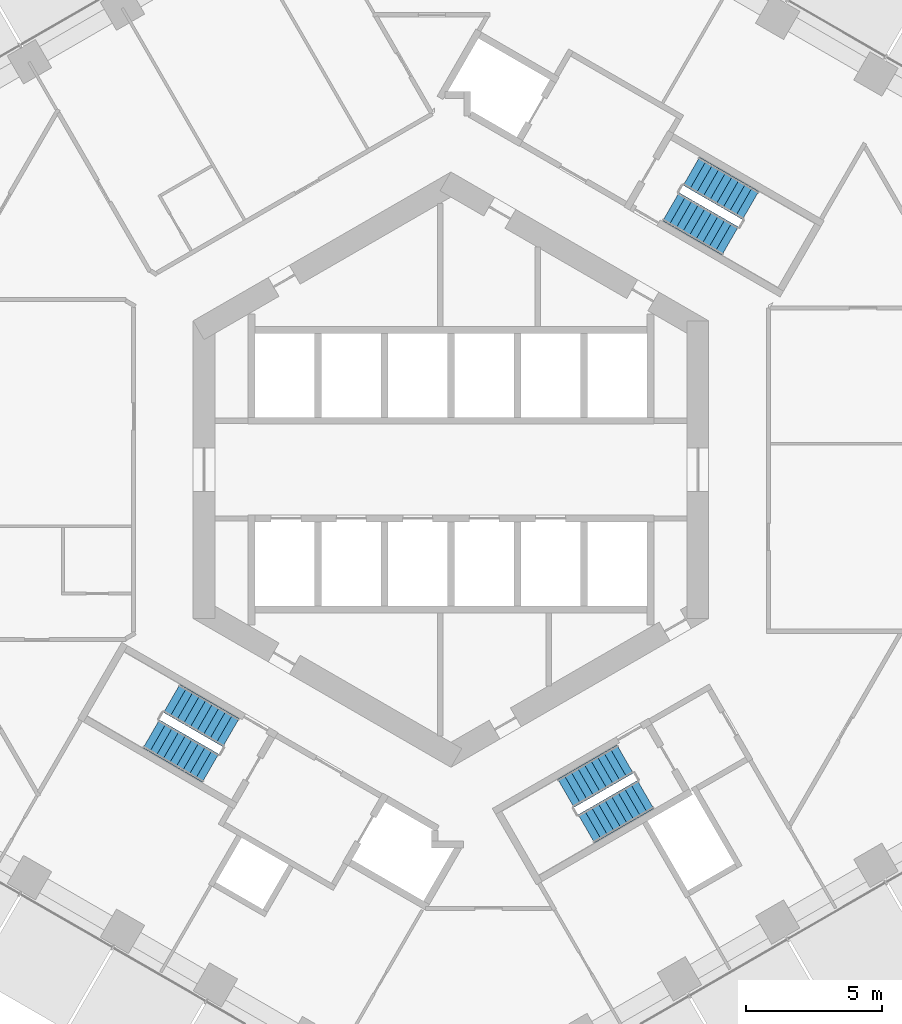
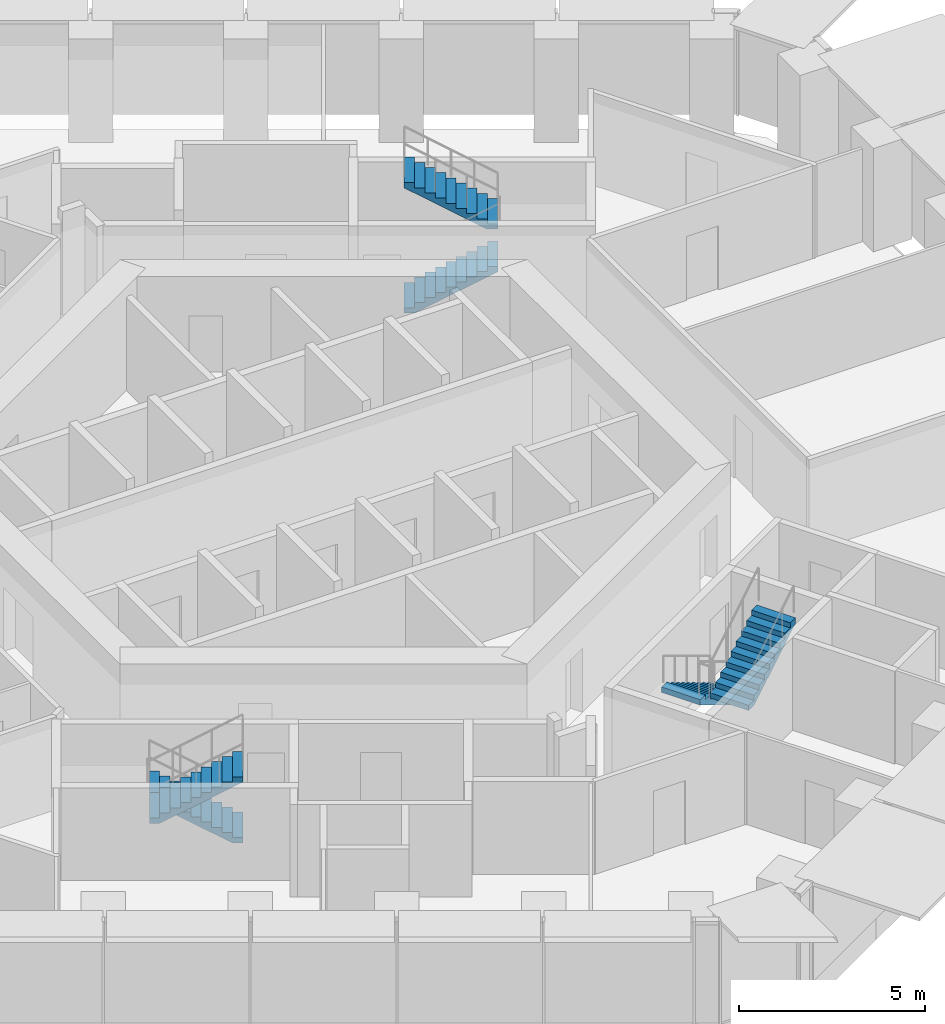
# One storey, part 16 of 19: 6 stair flights, 3 elements without a shape of their own.
"""IFC4 building model written with IfcOpenShell, lengths in metres."""

import ifcopenshell
import ifcopenshell.guid

model = None  # the IFC model being written
_history = None  # IfcOwnerHistory: only IFC2X3 demands one
_inside = {}  # id of a spatial element -> (the spatial element, [elements in it])
_under = {}  # id of a project, library or spatial element -> (it, [spatial elements below it])
_declared = {}  # id of a project -> (the project, [libraries it declares])
_typed = {}  # id of a type object -> (the type object, [elements of that type])
_made_of = {}  # id of a material, layer set ... -> (it, [elements and type objects made of it])


def new_model(schema):
    """Start an empty IFC model of exactly this schema.

    Asked for "IFC4X3", IfcOpenShell would pick the latest addendum, in which some entities
    have other attributes; the version numbers below select the first issue.
    IFC2X3 requires an IfcOwnerHistory on every rooted entity: one is made here for all.
    """
    global model, _history
    if schema == "IFC4X3":
        model = ifcopenshell.file(schema_version=(4, 3, 0, 0))
    else:
        model = ifcopenshell.file(schema=schema)
    _inside.clear()
    _under.clear()
    _declared.clear()
    _typed.clear()
    _made_of.clear()
    _history = None
    if model.schema == "IFC2X3":
        org = make("IfcOrganization", Name="unknown")
        user = make(
            "IfcPersonAndOrganization",
            ThePerson=make("IfcPerson", FamilyName="unknown"),
            TheOrganization=org,
        )
        app = make(
            "IfcApplication",
            ApplicationDeveloper=org,
            Version="unknown",
            ApplicationFullName="unknown",
            ApplicationIdentifier="unknown",
        )
        _history = make(
            "IfcOwnerHistory",
            OwningUser=user,
            OwningApplication=app,
            ChangeAction="ADDED",
            CreationDate=0,
        )
    return model


def make(cls, **values):
    """One entity of the class cls with the attributes given. An attribute that is None is left unset."""
    return model.create_entity(
        cls, **{name: value for name, value in values.items() if value is not None}
    )


def rooted(cls, **values):
    """An entity with a GlobalId (a new one), such as an element, a storey or a relation."""
    return make(cls, GlobalId=ifcopenshell.guid.new(), OwnerHistory=_history, **values)


def si_unit(unit_type, name, prefix=None):
    """IfcSIUnit, for example si_unit("LENGTHUNIT", "METRE", prefix="MILLI")."""
    return make("IfcSIUnit", UnitType=unit_type, Prefix=prefix, Name=name)


def assignment(units):
    """IfcUnitAssignment: the units of a project."""
    return None if units is None else make("IfcUnitAssignment", Units=units)


def point(xyz):
    """IfcCartesianPoint."""
    return None if xyz is None else make("IfcCartesianPoint", Coordinates=xyz)


def direction(xyz):
    """IfcDirection."""
    return None if xyz is None else make("IfcDirection", DirectionRatios=xyz)


def frame(location, z_axis=None, x_axis=None):
    """IfcAxis2Placement3D, a coordinate frame: its origin and axes. An axis left out is left unset."""
    return make(
        "IfcAxis2Placement3D",
        Location=point(location),
        Axis=direction(z_axis),
        RefDirection=direction(x_axis),
    )


def origin():
    """The frame at (0, 0, 0) with its axes left unset."""
    return frame((0.0, 0.0, 0.0))


def place(relative_to, where):
    """IfcLocalPlacement: puts the frame where relative to a parent placement (None: the world)."""
    return make(
        "IfcLocalPlacement", PlacementRelTo=relative_to, RelativePlacement=where
    )


def context(
    kind, dimensions, precision=None, world=None, true_north=None, identifier=None
):
    """IfcGeometricRepresentationContext, for example the 3D "Model" context."""
    return make(
        "IfcGeometricRepresentationContext",
        ContextIdentifier=identifier,
        ContextType=kind,
        CoordinateSpaceDimension=dimensions,
        Precision=precision,
        WorldCoordinateSystem=world,
        TrueNorth=true_north,
    )


def subcontext(parent, identifier, kind, view, scale=None):
    """IfcGeometricRepresentationSubContext, for example "Body" below "Model"."""
    return make(
        "IfcGeometricRepresentationSubContext",
        ContextIdentifier=identifier,
        ContextType=kind,
        ParentContext=parent,
        TargetScale=scale,
        TargetView=view,
    )


def project(units=None, contexts=None):
    """IfcProject with its units and contexts."""
    return rooted(
        "IfcProject",
        Name="project",
        RepresentationContexts=contexts,
        UnitsInContext=assignment(units),
    )


def spatial(cls, under=None, at=None, **own):
    """A site, building, storey or space (cls), placed at a placement, below another one or the project."""
    s = rooted(cls, ObjectPlacement=at, **own)
    if under is not None:
        _under.setdefault(under.id(), (under, []))[1].append(s)
    return s


def point_list(points):
    """IfcCartesianPointList2D or 3D."""
    cls = (
        "IfcCartesianPointList2D" if len(points[0]) == 2 else "IfcCartesianPointList3D"
    )
    return make(cls, CoordList=points)


def triangles(points, corners, closed=None, point_numbers=None):
    """IfcTriangulatedFaceSet: each triangle names its three corners, points numbered from 1."""
    return make(
        "IfcTriangulatedFaceSet",
        Coordinates=point_list(points),
        Closed=closed,
        CoordIndex=corners,
        PnIndex=point_numbers,
    )


def shape(context_of_items, identifier, shape_type, items):
    """IfcShapeRepresentation: the items that make up one representation, for example the "Body"."""
    return make(
        "IfcShapeRepresentation",
        ContextOfItems=context_of_items,
        RepresentationIdentifier=identifier,
        RepresentationType=shape_type,
        Items=items,
    )


def material(Name=None, Category=None):
    """IfcMaterial."""
    return make("IfcMaterial", Name=Name, Category=Category)


def made_of(thing, what):
    """Note that an element or type object is made of a material, layer set ...; save() writes the relation."""
    if what is not None:
        _made_of.setdefault(what.id(), (what, []))[1].append(thing)
    return thing


def type_object(cls, material=None, **own):
    """A type object (cls), such as IfcWallType, which elements share."""
    return made_of(rooted(cls, **own), material)


def element(
    cls,
    number,
    at=None,
    inside=None,
    cuts=None,
    type_object=None,
    material=None,
    context=None,
    identifier="Body",
    shape_type=None,
    held_by="IfcProductDefinitionShape",
    body=None,
    shapes=None,
    **own,
):
    """One element of the class cls, such as IfcWall. Its Tag is "e" and its number.

    at: its placement. inside: the storey or other place that contains it. cuts: it is an
    opening in that element (IfcRelVoidsElement). A single representation is given by context,
    identifier, shape_type and body (its items); several are given by shapes. held_by: the class
    of the entity that holds the representations. save() writes the other relations.
    """
    e = rooted(cls, Tag="e%d" % number, ObjectPlacement=at, **own)
    if body is not None:
        shapes = [shape(context, identifier, shape_type, body)]
    if shapes is not None:
        e.Representation = make(held_by, Representations=shapes)
    if inside is not None:
        _inside.setdefault(inside.id(), (inside, []))[1].append(e)
    if cuts is not None:
        rooted(
            "IfcRelVoidsElement", RelatingBuildingElement=cuts, RelatedOpeningElement=e
        )
    if type_object is not None:
        _typed.setdefault(type_object.id(), (type_object, []))[1].append(e)
    return made_of(e, material)


def aggregate(whole, parts):
    """IfcRelAggregates: a whole, such as a stair, and the parts it consists of."""
    return rooted("IfcRelAggregates", RelatingObject=whole, RelatedObjects=parts)


def save(model, path):
    """Write the relations noted so far, then the file.

    IfcRelAggregates (storeys below a building ...), IfcRelContainedInSpatialStructure (elements
    in a storey), IfcRelDefinesByType, IfcRelAssociatesMaterial and IfcRelDeclares: one each for
    every whole, place, type object, material and project.
    """
    for whole, parts in _under.values():
        aggregate(whole, parts)
    for where, things in _inside.values():
        rooted(
            "IfcRelContainedInSpatialStructure",
            RelatedElements=things,
            RelatingStructure=where,
        )
    for kind, things in _typed.values():
        rooted("IfcRelDefinesByType", RelatedObjects=things, RelatingType=kind)
    for what, things in _made_of.values():
        rooted("IfcRelAssociatesMaterial", RelatedObjects=things, RelatingMaterial=what)
    for by, libraries in _declared.values():
        rooted("IfcRelDeclares", RelatingContext=by, RelatedDefinitions=libraries)
    model.write(path)


model = new_model("IFC4")

# Units and contexts
model_context = context("Model", 3, precision=1e-05, world=origin(), true_north=direction((0.0, 1.0)))
body_context = subcontext(model_context, "Body", "Model", "MODEL_VIEW")
ifc_project = project(units=[si_unit("LENGTHUNIT", "METRE"), si_unit("AREAUNIT", "SQUARE_METRE"), si_unit("VOLUMEUNIT", "CUBIC_METRE"), si_unit("PLANEANGLEUNIT", "RADIAN"), si_unit("MASSUNIT", "GRAM", prefix="KILO")], contexts=[model_context])

# Site, building, storey
site_placement = place(None, origin())
site = spatial("IfcSite", under=ifc_project, at=site_placement, CompositionType="ELEMENT")
building_placement = place(site_placement, origin())
building = spatial("IfcBuilding", under=site, at=building_placement, Name="Ayvan Gate Tower", CompositionType="ELEMENT")
storey_placement = place(building_placement, frame((0.0, 0.0, 42.5)))
storey = spatial("IfcBuildingStorey", under=building, at=storey_placement, Name="L10", CompositionType="ELEMENT", Elevation=42.5)

# Stair, stair flights
ifc_material = material(Name="Concrete C40/50", Category="concrete")
stair_type = type_object("IfcStairType", Name="ST-EXIT", PredefinedType="HALF_TURN_STAIR", material=ifc_material)
stair_1_placement = place(storey_placement, origin())
stair_1 = element("IfcStair", 1, at=stair_1_placement, inside=storey, type_object=stair_type, Name="L10 Exit Stair S1", PredefinedType="HALF_TURN_STAIR")
stair_flight_type = type_object("IfcStairFlightType", Name="SFL-EXIT", PredefinedType="STRAIGHT", material=ifc_material)
stair_flight_1_placement = place(storey_placement, frame((8.106201171875, 9.690185546875, 0.0), z_axis=(0.0, 0.0, 1.0), x_axis=(0.866025403784, -0.5, 0.0)))
stair_flight_1 = element("IfcStairFlight", 2, at=stair_flight_1_placement, type_object=stair_flight_type, Name="STS1 flight 1", NumberOfRisers=10, NumberOfTreads=9, PredefinedType="STRAIGHT", RiserHeight=0.17, TreadLength=0.28, context=body_context, shape_type="Tessellation", body=[
    triangles([(0.288841, -0.599976, 0.0), (2.5205, -0.599976, 1.354936), (2.5205, -0.599976, 1.53), (2.24, -0.599976, 1.53), (2.24, -0.599976, 1.36), (1.96, -0.599976, 1.36), (1.96, -0.599976, 1.19), (1.68, -0.599976, 1.19), (1.68, -0.599976, 1.02), (1.4, -0.599976, 1.02), (1.4, -0.599976, 0.85), (1.12, -0.599976, 0.85), (1.12, -0.599976, 0.68), (0.84, -0.599976, 0.68), (0.84, -0.599976, 0.51), (0.56, -0.599976, 0.51), (0.56, -0.599976, 0.34), (0.28, -0.599976, 0.34), (0.28, -0.599976, 0.17), (-0.0005, -0.599976, 0.17), (-0.0005, -0.599976, 0.0), (0.288841, 0.0, 0.0), (2.5205, 0.0, 1.354936), (2.5205, 0.0, 1.53), (2.24, 0.0, 1.53), (2.24, 0.0, 1.36), (1.96, 0.0, 1.36), (1.96, 0.0, 1.19), (1.68, 0.0, 1.19), (1.68, 0.0, 1.02), (1.4, 0.0, 1.02), (1.4, 0.0, 0.85), (1.12, 0.0, 0.85), (1.12, 0.0, 0.68), (0.84, 0.0, 0.68), (0.84, 0.0, 0.51), (0.56, 0.0, 0.51), (0.56, 0.0, 0.34), (0.28, 0.0, 0.34), (0.28, 0.0, 0.17), (-0.0005, 0.0, 0.17), (-0.0005, 0.0, 0.0), (0.288841, 0.599976, 0.0), (2.5205, 0.599976, 1.354936), (2.5205, 0.599976, 1.53), (2.24, 0.599976, 1.53), (2.24, 0.599976, 1.36), (1.96, 0.599976, 1.36), (1.96, 0.599976, 1.19), (1.68, 0.599976, 1.19), (1.68, 0.599976, 1.02), (1.4, 0.599976, 1.02), (1.4, 0.599976, 0.85), (1.12, 0.599976, 0.85), (1.12, 0.599976, 0.68), (0.84, 0.599976, 0.68), (0.84, 0.599976, 0.51), (0.56, 0.599976, 0.51), (0.56, 0.599976, 0.34), (0.28, 0.599976, 0.34), (0.28, 0.599976, 0.17), (-0.0005, 0.599976, 0.17), (-0.0005, 0.599976, 0.0)], [[21, 1, 2], [63, 44, 43], [2, 3, 4], [44, 46, 45], [2, 4, 5], [44, 47, 46], [2, 5, 6], [44, 48, 47], [2, 6, 7], [44, 49, 48], [7, 8, 9], [49, 51, 50], [2, 7, 9], [44, 51, 49], [9, 10, 11], [51, 53, 52], [2, 9, 11], [44, 53, 51], [11, 12, 13], [53, 55, 54], [2, 11, 13], [44, 55, 53], [13, 14, 15], [55, 57, 56], [2, 13, 15], [44, 57, 55], [15, 16, 17], [57, 59, 58], [2, 15, 17], [44, 59, 57], [17, 18, 19], [59, 61, 60], [2, 17, 19], [44, 61, 59], [21, 2, 19], [63, 61, 44], [19, 20, 21], [61, 63, 62], [1, 22, 23], [1, 23, 2], [43, 23, 22], [43, 44, 23], [2, 23, 24], [2, 24, 3], [44, 24, 23], [44, 45, 24], [3, 24, 25], [3, 25, 4], [45, 25, 24], [45, 46, 25], [4, 25, 26], [4, 26, 5], [46, 26, 25], [46, 47, 26], [5, 26, 27], [5, 27, 6], [47, 27, 26], [47, 48, 27], [6, 27, 28], [6, 28, 7], [48, 28, 27], [48, 49, 28], [7, 28, 29], [7, 29, 8], [49, 29, 28], [49, 50, 29], [8, 29, 30], [8, 30, 9], [50, 30, 29], [50, 51, 30], [9, 30, 31], [9, 31, 10], [51, 31, 30], [51, 52, 31], [10, 31, 32], [10, 32, 11], [52, 32, 31], [52, 53, 32], [11, 32, 33], [11, 33, 12], [53, 33, 32], [53, 54, 33], [12, 33, 34], [12, 34, 13], [54, 34, 33], [54, 55, 34], [13, 34, 35], [13, 35, 14], [55, 35, 34], [55, 56, 35], [14, 35, 36], [14, 36, 15], [56, 36, 35], [56, 57, 36], [15, 36, 37], [15, 37, 16], [57, 37, 36], [57, 58, 37], [16, 37, 38], [16, 38, 17], [58, 38, 37], [58, 59, 38], [17, 38, 39], [17, 39, 18], [59, 39, 38], [59, 60, 39], [18, 39, 40], [18, 40, 19], [60, 40, 39], [60, 61, 40], [19, 40, 41], [19, 41, 20], [61, 41, 40], [61, 62, 41], [20, 41, 42], [20, 42, 21], [62, 42, 41], [62, 63, 42], [21, 42, 22], [21, 22, 1], [63, 22, 42], [63, 43, 22]], closed=True),
])
stair_flight_2_placement = place(storey_placement, frame((11.04345703125, 9.73779296875, 1.699951171875), z_axis=(0.0, 0.0, 1.0), x_axis=(-0.866025403784, 0.5, 0.0)))
stair_flight_2 = element("IfcStairFlight", 3, at=stair_flight_2_placement, type_object=stair_flight_type, Name="STS1 flight 2", NumberOfRisers=10, NumberOfTreads=9, PredefinedType="STRAIGHT", RiserHeight=0.17, TreadLength=0.28, context=body_context, shape_type="Tessellation", body=[
    triangles([(0.288841, -0.599976, 0.0), (2.5205, -0.599976, 1.354936), (2.5205, -0.599976, 1.53), (2.24, -0.599976, 1.53), (2.24, -0.599976, 1.36), (1.96, -0.599976, 1.36), (1.96, -0.599976, 1.19), (1.68, -0.599976, 1.19), (1.68, -0.599976, 1.02), (1.4, -0.599976, 1.02), (1.4, -0.599976, 0.85), (1.12, -0.599976, 0.85), (1.12, -0.599976, 0.68), (0.84, -0.599976, 0.68), (0.84, -0.599976, 0.51), (0.56, -0.599976, 0.51), (0.56, -0.599976, 0.34), (0.28, -0.599976, 0.34), (0.28, -0.599976, 0.17), (-0.0005, -0.599976, 0.17), (-0.0005, -0.599976, 0.0), (0.288841, 0.0, 0.0), (2.5205, 0.0, 1.354936), (2.5205, 0.0, 1.53), (2.24, 0.0, 1.53), (2.24, 0.0, 1.36), (1.96, 0.0, 1.36), (1.96, 0.0, 1.19), (1.68, 0.0, 1.19), (1.68, 0.0, 1.02), (1.4, 0.0, 1.02), (1.4, 0.0, 0.85), (1.12, 0.0, 0.85), (1.12, 0.0, 0.68), (0.84, 0.0, 0.68), (0.84, 0.0, 0.51), (0.56, 0.0, 0.51), (0.56, 0.0, 0.34), (0.28, 0.0, 0.34), (0.28, 0.0, 0.17), (-0.0005, 0.0, 0.17), (-0.0005, 0.0, 0.0), (0.288841, 0.599976, 0.0), (2.5205, 0.599976, 1.354936), (2.5205, 0.599976, 1.53), (2.24, 0.599976, 1.53), (2.24, 0.599976, 1.36), (1.96, 0.599976, 1.36), (1.96, 0.599976, 1.19), (1.68, 0.599976, 1.19), (1.68, 0.599976, 1.02), (1.4, 0.599976, 1.02), (1.4, 0.599976, 0.85), (1.12, 0.599976, 0.85), (1.12, 0.599976, 0.68), (0.84, 0.599976, 0.68), (0.84, 0.599976, 0.51), (0.56, 0.599976, 0.51), (0.56, 0.599976, 0.34), (0.28, 0.599976, 0.34), (0.28, 0.599976, 0.17), (-0.0005, 0.599976, 0.17), (-0.0005, 0.599976, 0.0)], [[21, 1, 2], [63, 44, 43], [2, 3, 4], [44, 46, 45], [2, 4, 5], [44, 47, 46], [2, 5, 6], [44, 48, 47], [2, 6, 7], [44, 49, 48], [7, 8, 9], [49, 51, 50], [2, 7, 9], [44, 51, 49], [9, 10, 11], [51, 53, 52], [2, 9, 11], [44, 53, 51], [11, 12, 13], [53, 55, 54], [2, 11, 13], [44, 55, 53], [13, 14, 15], [55, 57, 56], [2, 13, 15], [44, 57, 55], [15, 16, 17], [57, 59, 58], [2, 15, 17], [44, 59, 57], [17, 18, 19], [59, 61, 60], [2, 17, 19], [44, 61, 59], [21, 2, 19], [63, 61, 44], [19, 20, 21], [61, 63, 62], [1, 22, 23], [1, 23, 2], [43, 23, 22], [43, 44, 23], [2, 23, 24], [2, 24, 3], [44, 24, 23], [44, 45, 24], [3, 24, 25], [3, 25, 4], [45, 25, 24], [45, 46, 25], [4, 25, 26], [4, 26, 5], [46, 26, 25], [46, 47, 26], [5, 26, 27], [5, 27, 6], [47, 27, 26], [47, 48, 27], [6, 27, 28], [6, 28, 7], [48, 28, 27], [48, 49, 28], [7, 28, 29], [7, 29, 8], [49, 29, 28], [49, 50, 29], [8, 29, 30], [8, 30, 9], [50, 30, 29], [50, 51, 30], [9, 30, 31], [9, 31, 10], [51, 31, 30], [51, 52, 31], [10, 31, 32], [10, 32, 11], [52, 32, 31], [52, 53, 32], [11, 32, 33], [11, 33, 12], [53, 33, 32], [53, 54, 33], [12, 33, 34], [12, 34, 13], [54, 34, 33], [54, 55, 34], [13, 34, 35], [13, 35, 14], [55, 35, 34], [55, 56, 35], [14, 35, 36], [14, 36, 15], [56, 36, 35], [56, 57, 36], [15, 36, 37], [15, 37, 16], [57, 37, 36], [57, 58, 37], [16, 37, 38], [16, 38, 17], [58, 38, 37], [58, 59, 38], [17, 38, 39], [17, 39, 18], [59, 39, 38], [59, 60, 39], [18, 39, 40], [18, 40, 19], [60, 40, 39], [60, 61, 40], [19, 40, 41], [19, 41, 20], [61, 41, 40], [61, 62, 41], [20, 41, 42], [20, 42, 21], [62, 42, 41], [62, 63, 42], [21, 42, 22], [21, 22, 1], [63, 22, 42], [63, 43, 22]], closed=True),
])
aggregate(stair_1, [stair_flight_1, stair_flight_2])

stair_2_placement = place(storey_placement, origin())
stair_2 = element("IfcStair", 4, at=stair_2_placement, inside=storey, type_object=stair_type, Name="L10 Exit Stair S2", PredefinedType="HALF_TURN_STAIR")
stair_flight_3_placement = place(storey_placement, frame((-8.106201171875, -9.690185546875, 0.0), z_axis=(0.0, 0.0, 1.0), x_axis=(-0.866025403784, 0.5, 0.0)))
stair_flight_3 = element("IfcStairFlight", 5, at=stair_flight_3_placement, type_object=stair_flight_type, Name="STS2 flight 1", NumberOfRisers=10, NumberOfTreads=9, PredefinedType="STRAIGHT", RiserHeight=0.17, TreadLength=0.28, context=body_context, shape_type="Tessellation", body=[
    triangles([(0.288841, -0.599976, 0.0), (2.5205, -0.599976, 1.354936), (2.5205, -0.599976, 1.53), (2.24, -0.599976, 1.53), (2.24, -0.599976, 1.36), (1.96, -0.599976, 1.36), (1.96, -0.599976, 1.19), (1.68, -0.599976, 1.19), (1.68, -0.599976, 1.02), (1.4, -0.599976, 1.02), (1.4, -0.599976, 0.85), (1.12, -0.599976, 0.85), (1.12, -0.599976, 0.68), (0.84, -0.599976, 0.68), (0.84, -0.599976, 0.51), (0.56, -0.599976, 0.51), (0.56, -0.599976, 0.34), (0.28, -0.599976, 0.34), (0.28, -0.599976, 0.17), (-0.0005, -0.599976, 0.17), (-0.0005, -0.599976, 0.0), (0.288841, 0.0, 0.0), (2.5205, 0.0, 1.354936), (2.5205, 0.0, 1.53), (2.24, 0.0, 1.53), (2.24, 0.0, 1.36), (1.96, 0.0, 1.36), (1.96, 0.0, 1.19), (1.68, 0.0, 1.19), (1.68, 0.0, 1.02), (1.4, 0.0, 1.02), (1.4, 0.0, 0.85), (1.12, 0.0, 0.85), (1.12, 0.0, 0.68), (0.84, 0.0, 0.68), (0.84, 0.0, 0.51), (0.56, 0.0, 0.51), (0.56, 0.0, 0.34), (0.28, 0.0, 0.34), (0.28, 0.0, 0.17), (-0.0005, 0.0, 0.17), (-0.0005, 0.0, 0.0), (0.288841, 0.599976, 0.0), (2.5205, 0.599976, 1.354936), (2.5205, 0.599976, 1.53), (2.24, 0.599976, 1.53), (2.24, 0.599976, 1.36), (1.96, 0.599976, 1.36), (1.96, 0.599976, 1.19), (1.68, 0.599976, 1.19), (1.68, 0.599976, 1.02), (1.4, 0.599976, 1.02), (1.4, 0.599976, 0.85), (1.12, 0.599976, 0.85), (1.12, 0.599976, 0.68), (0.84, 0.599976, 0.68), (0.84, 0.599976, 0.51), (0.56, 0.599976, 0.51), (0.56, 0.599976, 0.34), (0.28, 0.599976, 0.34), (0.28, 0.599976, 0.17), (-0.0005, 0.599976, 0.17), (-0.0005, 0.599976, 0.0)], [[21, 1, 2], [63, 44, 43], [2, 3, 4], [44, 46, 45], [2, 4, 5], [44, 47, 46], [2, 5, 6], [44, 48, 47], [2, 6, 7], [44, 49, 48], [7, 8, 9], [49, 51, 50], [2, 7, 9], [44, 51, 49], [9, 10, 11], [51, 53, 52], [2, 9, 11], [44, 53, 51], [11, 12, 13], [53, 55, 54], [2, 11, 13], [44, 55, 53], [13, 14, 15], [55, 57, 56], [2, 13, 15], [44, 57, 55], [15, 16, 17], [57, 59, 58], [2, 15, 17], [44, 59, 57], [17, 18, 19], [59, 61, 60], [2, 17, 19], [44, 61, 59], [21, 2, 19], [63, 61, 44], [19, 20, 21], [61, 63, 62], [1, 22, 23], [1, 23, 2], [43, 23, 22], [43, 44, 23], [2, 23, 24], [2, 24, 3], [44, 24, 23], [44, 45, 24], [3, 24, 25], [3, 25, 4], [45, 25, 24], [45, 46, 25], [4, 25, 26], [4, 26, 5], [46, 26, 25], [46, 47, 26], [5, 26, 27], [5, 27, 6], [47, 27, 26], [47, 48, 27], [6, 27, 28], [6, 28, 7], [48, 28, 27], [48, 49, 28], [7, 28, 29], [7, 29, 8], [49, 29, 28], [49, 50, 29], [8, 29, 30], [8, 30, 9], [50, 30, 29], [50, 51, 30], [9, 30, 31], [9, 31, 10], [51, 31, 30], [51, 52, 31], [10, 31, 32], [10, 32, 11], [52, 32, 31], [52, 53, 32], [11, 32, 33], [11, 33, 12], [53, 33, 32], [53, 54, 33], [12, 33, 34], [12, 34, 13], [54, 34, 33], [54, 55, 34], [13, 34, 35], [13, 35, 14], [55, 35, 34], [55, 56, 35], [14, 35, 36], [14, 36, 15], [56, 36, 35], [56, 57, 36], [15, 36, 37], [15, 37, 16], [57, 37, 36], [57, 58, 37], [16, 37, 38], [16, 38, 17], [58, 38, 37], [58, 59, 38], [17, 38, 39], [17, 39, 18], [59, 39, 38], [59, 60, 39], [18, 39, 40], [18, 40, 19], [60, 40, 39], [60, 61, 40], [19, 40, 41], [19, 41, 20], [61, 41, 40], [61, 62, 41], [20, 41, 42], [20, 42, 21], [62, 42, 41], [62, 63, 42], [21, 42, 22], [21, 22, 1], [63, 22, 42], [63, 43, 22]], closed=True),
])
stair_flight_4_placement = place(storey_placement, frame((-11.04345703125, -9.73779296875, 1.699951171875), z_axis=(0.0, 0.0, 1.0), x_axis=(0.866025403784, -0.5, 0.0)))
stair_flight_4 = element("IfcStairFlight", 6, at=stair_flight_4_placement, type_object=stair_flight_type, Name="STS2 flight 2", NumberOfRisers=10, NumberOfTreads=9, PredefinedType="STRAIGHT", RiserHeight=0.17, TreadLength=0.28, context=body_context, shape_type="Tessellation", body=[
    triangles([(0.288841, -0.599976, 0.0), (2.5205, -0.599976, 1.354936), (2.5205, -0.599976, 1.53), (2.24, -0.599976, 1.53), (2.24, -0.599976, 1.36), (1.96, -0.599976, 1.36), (1.96, -0.599976, 1.19), (1.68, -0.599976, 1.19), (1.68, -0.599976, 1.02), (1.4, -0.599976, 1.02), (1.4, -0.599976, 0.85), (1.12, -0.599976, 0.85), (1.12, -0.599976, 0.68), (0.84, -0.599976, 0.68), (0.84, -0.599976, 0.51), (0.56, -0.599976, 0.51), (0.56, -0.599976, 0.34), (0.28, -0.599976, 0.34), (0.28, -0.599976, 0.17), (-0.0005, -0.599976, 0.17), (-0.0005, -0.599976, 0.0), (0.288841, 0.0, 0.0), (2.5205, 0.0, 1.354936), (2.5205, 0.0, 1.53), (2.24, 0.0, 1.53), (2.24, 0.0, 1.36), (1.96, 0.0, 1.36), (1.96, 0.0, 1.19), (1.68, 0.0, 1.19), (1.68, 0.0, 1.02), (1.4, 0.0, 1.02), (1.4, 0.0, 0.85), (1.12, 0.0, 0.85), (1.12, 0.0, 0.68), (0.84, 0.0, 0.68), (0.84, 0.0, 0.51), (0.56, 0.0, 0.51), (0.56, 0.0, 0.34), (0.28, 0.0, 0.34), (0.28, 0.0, 0.17), (-0.0005, 0.0, 0.17), (-0.0005, 0.0, 0.0), (0.288841, 0.599976, 0.0), (2.5205, 0.599976, 1.354936), (2.5205, 0.599976, 1.53), (2.24, 0.599976, 1.53), (2.24, 0.599976, 1.36), (1.96, 0.599976, 1.36), (1.96, 0.599976, 1.19), (1.68, 0.599976, 1.19), (1.68, 0.599976, 1.02), (1.4, 0.599976, 1.02), (1.4, 0.599976, 0.85), (1.12, 0.599976, 0.85), (1.12, 0.599976, 0.68), (0.84, 0.599976, 0.68), (0.84, 0.599976, 0.51), (0.56, 0.599976, 0.51), (0.56, 0.599976, 0.34), (0.28, 0.599976, 0.34), (0.28, 0.599976, 0.17), (-0.0005, 0.599976, 0.17), (-0.0005, 0.599976, 0.0)], [[21, 1, 2], [63, 44, 43], [2, 3, 4], [44, 46, 45], [2, 4, 5], [44, 47, 46], [2, 5, 6], [44, 48, 47], [2, 6, 7], [44, 49, 48], [7, 8, 9], [49, 51, 50], [2, 7, 9], [44, 51, 49], [9, 10, 11], [51, 53, 52], [2, 9, 11], [44, 53, 51], [11, 12, 13], [53, 55, 54], [2, 11, 13], [44, 55, 53], [13, 14, 15], [55, 57, 56], [2, 13, 15], [44, 57, 55], [15, 16, 17], [57, 59, 58], [2, 15, 17], [44, 59, 57], [17, 18, 19], [59, 61, 60], [2, 17, 19], [44, 61, 59], [21, 2, 19], [63, 61, 44], [19, 20, 21], [61, 63, 62], [1, 22, 23], [1, 23, 2], [43, 23, 22], [43, 44, 23], [2, 23, 24], [2, 24, 3], [44, 24, 23], [44, 45, 24], [3, 24, 25], [3, 25, 4], [45, 25, 24], [45, 46, 25], [4, 25, 26], [4, 26, 5], [46, 26, 25], [46, 47, 26], [5, 26, 27], [5, 27, 6], [47, 27, 26], [47, 48, 27], [6, 27, 28], [6, 28, 7], [48, 28, 27], [48, 49, 28], [7, 28, 29], [7, 29, 8], [49, 29, 28], [49, 50, 29], [8, 29, 30], [8, 30, 9], [50, 30, 29], [50, 51, 30], [9, 30, 31], [9, 31, 10], [51, 31, 30], [51, 52, 31], [10, 31, 32], [10, 32, 11], [52, 32, 31], [52, 53, 32], [11, 32, 33], [11, 33, 12], [53, 33, 32], [53, 54, 33], [12, 33, 34], [12, 34, 13], [54, 34, 33], [54, 55, 34], [13, 34, 35], [13, 35, 14], [55, 35, 34], [55, 56, 35], [14, 35, 36], [14, 36, 15], [56, 36, 35], [56, 57, 36], [15, 36, 37], [15, 37, 16], [57, 37, 36], [57, 58, 37], [16, 37, 38], [16, 38, 17], [58, 38, 37], [58, 59, 38], [17, 38, 39], [17, 39, 18], [59, 39, 38], [59, 60, 39], [18, 39, 40], [18, 40, 19], [60, 40, 39], [60, 61, 40], [19, 40, 41], [19, 41, 20], [61, 41, 40], [61, 62, 41], [20, 41, 42], [20, 42, 21], [62, 42, 41], [62, 63, 42], [21, 42, 22], [21, 22, 1], [63, 22, 42], [63, 43, 22]], closed=True),
])
aggregate(stair_2, [stair_flight_3, stair_flight_4])

stair_3_placement = place(storey_placement, origin())
stair_3 = element("IfcStair", 7, at=stair_3_placement, inside=storey, type_object=stair_type, Name="L10 Exit Stair S3", PredefinedType="HALF_TURN_STAIR")
stair_flight_5_placement = place(storey_placement, frame((6.417236328125, -10.665283203125, 0.0), z_axis=(0.0, 0.0, 1.0), x_axis=(-0.866025403784, -0.5, 0.0)))
stair_flight_5 = element("IfcStairFlight", 8, at=stair_flight_5_placement, type_object=stair_flight_type, Name="STS3 flight 1", NumberOfRisers=10, NumberOfTreads=9, PredefinedType="STRAIGHT", RiserHeight=0.17, TreadLength=0.28, context=body_context, shape_type="Tessellation", body=[
    triangles([(0.288841, -0.599976, 0.0), (2.5205, -0.599976, 1.354936), (2.5205, -0.599976, 1.53), (2.24, -0.599976, 1.53), (2.24, -0.599976, 1.36), (1.96, -0.599976, 1.36), (1.96, -0.599976, 1.19), (1.68, -0.599976, 1.19), (1.68, -0.599976, 1.02), (1.4, -0.599976, 1.02), (1.4, -0.599976, 0.85), (1.12, -0.599976, 0.85), (1.12, -0.599976, 0.68), (0.84, -0.599976, 0.68), (0.84, -0.599976, 0.51), (0.56, -0.599976, 0.51), (0.56, -0.599976, 0.34), (0.28, -0.599976, 0.34), (0.28, -0.599976, 0.17), (-0.0005, -0.599976, 0.17), (-0.0005, -0.599976, 0.0), (0.288841, 0.0, 0.0), (2.5205, 0.0, 1.354936), (2.5205, 0.0, 1.53), (2.24, 0.0, 1.53), (2.24, 0.0, 1.36), (1.96, 0.0, 1.36), (1.96, 0.0, 1.19), (1.68, 0.0, 1.19), (1.68, 0.0, 1.02), (1.4, 0.0, 1.02), (1.4, 0.0, 0.85), (1.12, 0.0, 0.85), (1.12, 0.0, 0.68), (0.84, 0.0, 0.68), (0.84, 0.0, 0.51), (0.56, 0.0, 0.51), (0.56, 0.0, 0.34), (0.28, 0.0, 0.34), (0.28, 0.0, 0.17), (-0.0005, 0.0, 0.17), (-0.0005, 0.0, 0.0), (0.288841, 0.599976, 0.0), (2.5205, 0.599976, 1.354936), (2.5205, 0.599976, 1.53), (2.24, 0.599976, 1.53), (2.24, 0.599976, 1.36), (1.96, 0.599976, 1.36), (1.96, 0.599976, 1.19), (1.68, 0.599976, 1.19), (1.68, 0.599976, 1.02), (1.4, 0.599976, 1.02), (1.4, 0.599976, 0.85), (1.12, 0.599976, 0.85), (1.12, 0.599976, 0.68), (0.84, 0.599976, 0.68), (0.84, 0.599976, 0.51), (0.56, 0.599976, 0.51), (0.56, 0.599976, 0.34), (0.28, 0.599976, 0.34), (0.28, 0.599976, 0.17), (-0.0005, 0.599976, 0.17), (-0.0005, 0.599976, 0.0)], [[21, 1, 2], [63, 44, 43], [2, 3, 4], [44, 46, 45], [2, 4, 5], [44, 47, 46], [2, 5, 6], [44, 48, 47], [2, 6, 7], [44, 49, 48], [7, 8, 9], [49, 51, 50], [2, 7, 9], [44, 51, 49], [9, 10, 11], [51, 53, 52], [2, 9, 11], [44, 53, 51], [11, 12, 13], [53, 55, 54], [2, 11, 13], [44, 55, 53], [13, 14, 15], [55, 57, 56], [2, 13, 15], [44, 57, 55], [15, 16, 17], [57, 59, 58], [2, 15, 17], [44, 59, 57], [17, 18, 19], [59, 61, 60], [2, 17, 19], [44, 61, 59], [21, 2, 19], [63, 61, 44], [19, 20, 21], [61, 63, 62], [1, 22, 23], [1, 23, 2], [43, 23, 22], [43, 44, 23], [2, 23, 24], [2, 24, 3], [44, 24, 23], [44, 45, 24], [3, 24, 25], [3, 25, 4], [45, 25, 24], [45, 46, 25], [4, 25, 26], [4, 26, 5], [46, 26, 25], [46, 47, 26], [5, 26, 27], [5, 27, 6], [47, 27, 26], [47, 48, 27], [6, 27, 28], [6, 28, 7], [48, 28, 27], [48, 49, 28], [7, 28, 29], [7, 29, 8], [49, 29, 28], [49, 50, 29], [8, 29, 30], [8, 30, 9], [50, 30, 29], [50, 51, 30], [9, 30, 31], [9, 31, 10], [51, 31, 30], [51, 52, 31], [10, 31, 32], [10, 32, 11], [52, 32, 31], [52, 53, 32], [11, 32, 33], [11, 33, 12], [53, 33, 32], [53, 54, 33], [12, 33, 34], [12, 34, 13], [54, 34, 33], [54, 55, 34], [13, 34, 35], [13, 35, 14], [55, 35, 34], [55, 56, 35], [14, 35, 36], [14, 36, 15], [56, 36, 35], [56, 57, 36], [15, 36, 37], [15, 37, 16], [57, 37, 36], [57, 58, 37], [16, 37, 38], [16, 38, 17], [58, 38, 37], [58, 59, 38], [17, 38, 39], [17, 39, 18], [59, 39, 38], [59, 60, 39], [18, 39, 40], [18, 40, 19], [60, 40, 39], [60, 61, 40], [19, 40, 41], [19, 41, 20], [61, 41, 40], [61, 62, 41], [20, 41, 42], [20, 42, 21], [62, 42, 41], [62, 63, 42], [21, 42, 22], [21, 22, 1], [63, 22, 42], [63, 43, 22]], closed=True),
])
stair_flight_6_placement = place(storey_placement, frame((4.989990234375, -13.23291015625, 1.699951171875), z_axis=(0.0, 0.0, 1.0), x_axis=(0.866025403784, 0.5, 0.0)))
stair_flight_6 = element("IfcStairFlight", 9, at=stair_flight_6_placement, type_object=stair_flight_type, Name="STS3 flight 2", NumberOfRisers=10, NumberOfTreads=9, PredefinedType="STRAIGHT", RiserHeight=0.17, TreadLength=0.28, context=body_context, shape_type="Tessellation", body=[
    triangles([(0.288841, -0.599976, 0.0), (2.5205, -0.599976, 1.354936), (2.5205, -0.599976, 1.53), (2.24, -0.599976, 1.53), (2.24, -0.599976, 1.36), (1.96, -0.599976, 1.36), (1.96, -0.599976, 1.19), (1.68, -0.599976, 1.19), (1.68, -0.599976, 1.02), (1.4, -0.599976, 1.02), (1.4, -0.599976, 0.85), (1.12, -0.599976, 0.85), (1.12, -0.599976, 0.68), (0.84, -0.599976, 0.68), (0.84, -0.599976, 0.51), (0.56, -0.599976, 0.51), (0.56, -0.599976, 0.34), (0.28, -0.599976, 0.34), (0.28, -0.599976, 0.17), (-0.0005, -0.599976, 0.17), (-0.0005, -0.599976, 0.0), (0.288841, 0.0, 0.0), (2.5205, 0.0, 1.354936), (2.5205, 0.0, 1.53), (2.24, 0.0, 1.53), (2.24, 0.0, 1.36), (1.96, 0.0, 1.36), (1.96, 0.0, 1.19), (1.68, 0.0, 1.19), (1.68, 0.0, 1.02), (1.4, 0.0, 1.02), (1.4, 0.0, 0.85), (1.12, 0.0, 0.85), (1.12, 0.0, 0.68), (0.84, 0.0, 0.68), (0.84, 0.0, 0.51), (0.56, 0.0, 0.51), (0.56, 0.0, 0.34), (0.28, 0.0, 0.34), (0.28, 0.0, 0.17), (-0.0005, 0.0, 0.17), (-0.0005, 0.0, 0.0), (0.288841, 0.599976, 0.0), (2.5205, 0.599976, 1.354936), (2.5205, 0.599976, 1.53), (2.24, 0.599976, 1.53), (2.24, 0.599976, 1.36), (1.96, 0.599976, 1.36), (1.96, 0.599976, 1.19), (1.68, 0.599976, 1.19), (1.68, 0.599976, 1.02), (1.4, 0.599976, 1.02), (1.4, 0.599976, 0.85), (1.12, 0.599976, 0.85), (1.12, 0.599976, 0.68), (0.84, 0.599976, 0.68), (0.84, 0.599976, 0.51), (0.56, 0.599976, 0.51), (0.56, 0.599976, 0.34), (0.28, 0.599976, 0.34), (0.28, 0.599976, 0.17), (-0.0005, 0.599976, 0.17), (-0.0005, 0.599976, 0.0)], [[21, 1, 2], [63, 44, 43], [2, 3, 4], [44, 46, 45], [2, 4, 5], [44, 47, 46], [2, 5, 6], [44, 48, 47], [2, 6, 7], [44, 49, 48], [7, 8, 9], [49, 51, 50], [2, 7, 9], [44, 51, 49], [9, 10, 11], [51, 53, 52], [2, 9, 11], [44, 53, 51], [11, 12, 13], [53, 55, 54], [2, 11, 13], [44, 55, 53], [13, 14, 15], [55, 57, 56], [2, 13, 15], [44, 57, 55], [15, 16, 17], [57, 59, 58], [2, 15, 17], [44, 59, 57], [17, 18, 19], [59, 61, 60], [2, 17, 19], [44, 61, 59], [21, 2, 19], [63, 61, 44], [19, 20, 21], [61, 63, 62], [1, 22, 23], [1, 23, 2], [43, 23, 22], [43, 44, 23], [2, 23, 24], [2, 24, 3], [44, 24, 23], [44, 45, 24], [3, 24, 25], [3, 25, 4], [45, 25, 24], [45, 46, 25], [4, 25, 26], [4, 26, 5], [46, 26, 25], [46, 47, 26], [5, 26, 27], [5, 27, 6], [47, 27, 26], [47, 48, 27], [6, 27, 28], [6, 28, 7], [48, 28, 27], [48, 49, 28], [7, 28, 29], [7, 29, 8], [49, 29, 28], [49, 50, 29], [8, 29, 30], [8, 30, 9], [50, 30, 29], [50, 51, 30], [9, 30, 31], [9, 31, 10], [51, 31, 30], [51, 52, 31], [10, 31, 32], [10, 32, 11], [52, 32, 31], [52, 53, 32], [11, 32, 33], [11, 33, 12], [53, 33, 32], [53, 54, 33], [12, 33, 34], [12, 34, 13], [54, 34, 33], [54, 55, 34], [13, 34, 35], [13, 35, 14], [55, 35, 34], [55, 56, 35], [14, 35, 36], [14, 36, 15], [56, 36, 35], [56, 57, 36], [15, 36, 37], [15, 37, 16], [57, 37, 36], [57, 58, 37], [16, 37, 38], [16, 38, 17], [58, 38, 37], [58, 59, 38], [17, 38, 39], [17, 39, 18], [59, 39, 38], [59, 60, 39], [18, 39, 40], [18, 40, 19], [60, 40, 39], [60, 61, 40], [19, 40, 41], [19, 41, 20], [61, 41, 40], [61, 62, 41], [20, 41, 42], [20, 42, 21], [62, 42, 41], [62, 63, 42], [21, 42, 22], [21, 22, 1], [63, 22, 42], [63, 43, 22]], closed=True),
])
aggregate(stair_3, [stair_flight_5, stair_flight_6])

save(model, "model.ifc")
